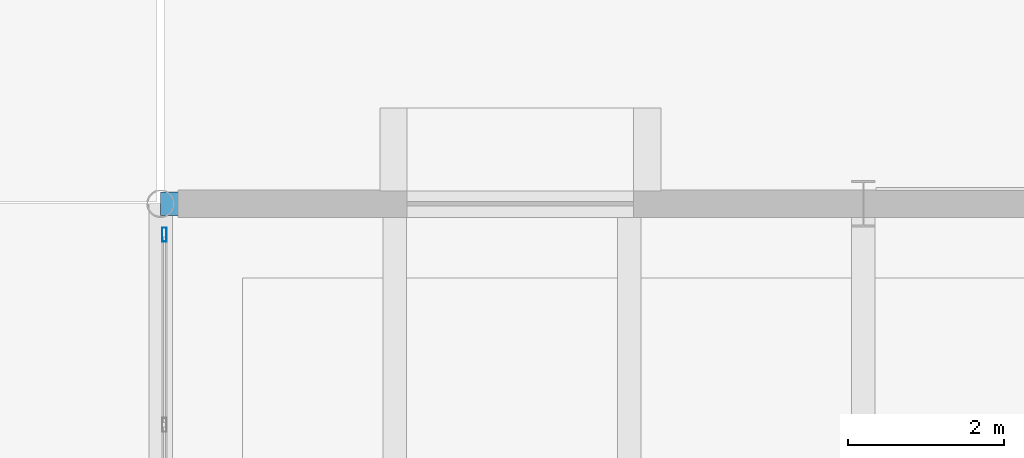
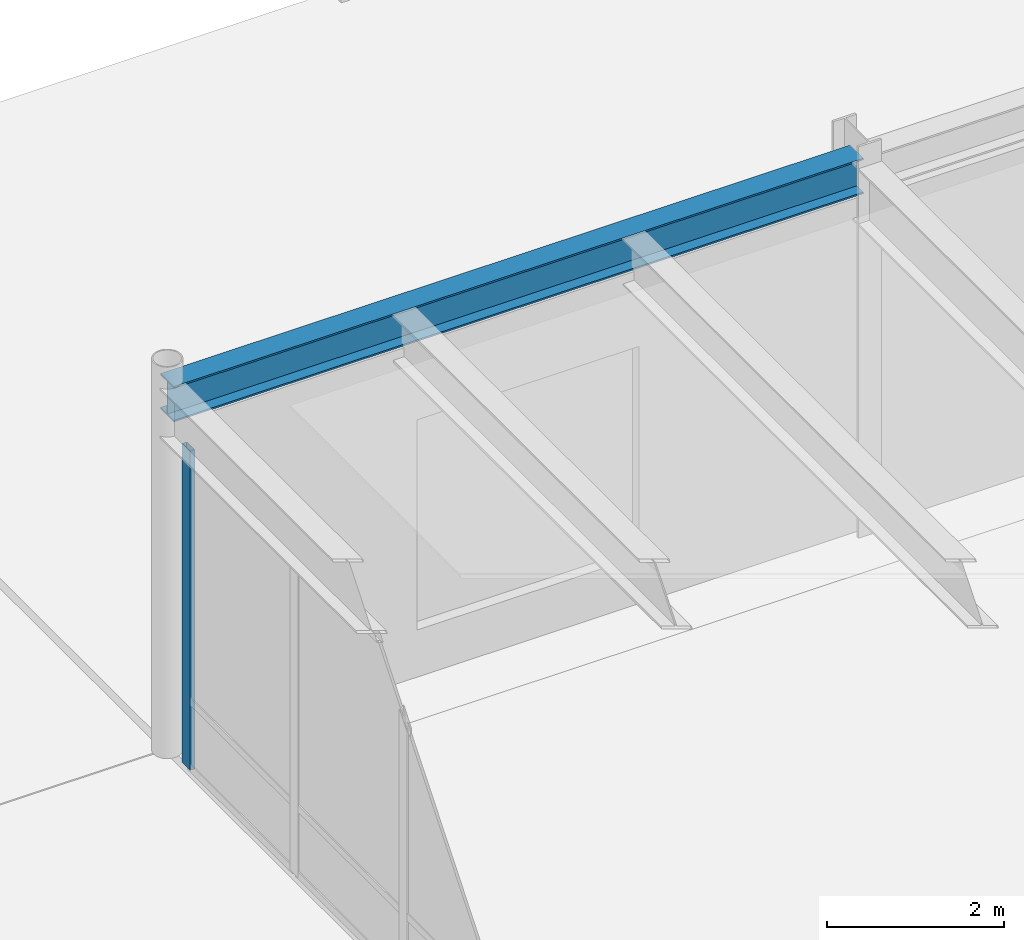
# One storey, part 90 of 143: 1 beam, 1 member, 1 element without a shape of its own.
"""IFC4 building model written with IfcOpenShell, lengths in metres."""

from ifc_helpers import new_model, si_unit, direction, frame, origin, origin_2d, place, context, subcontext, project, spatial, hollow_rectangle, i_section, extrude, material, layer, layer_set, material_profile, profile_set, type_object, element, aggregate, save


model = new_model("IFC4")

# Units and contexts
model_context = context("Model", 3, precision=1e-05, world=origin(), true_north=direction((0.0, 1.0)))
body_context = subcontext(model_context, "Body", "Model", "MODEL_VIEW")
ifc_project = project(units=[si_unit("LENGTHUNIT", "METRE"), si_unit("AREAUNIT", "SQUARE_METRE"), si_unit("VOLUMEUNIT", "CUBIC_METRE"), si_unit("PLANEANGLEUNIT", "RADIAN"), si_unit("MASSUNIT", "GRAM", prefix="KILO")], contexts=[model_context])

# Site, building, storey
site_placement = place(None, origin())
site = spatial("IfcSite", under=ifc_project, at=site_placement, CompositionType="ELEMENT")
building_placement = place(site_placement, origin())
building = spatial("IfcBuilding", under=site, at=building_placement, Name="Montelvaro Courts of Justice", CompositionType="ELEMENT")
storey_placement = place(building_placement, origin())
storey = spatial("IfcBuildingStorey", under=building, at=storey_placement, Name="L00", CompositionType="ELEMENT", Elevation=0.0)

# Beam
ifc_material_1 = material(Name="Steel S355", Category="steel")
ifc_material_profile_1 = material_profile(ifc_material_1, i_section(OverallWidth=0.300048828125, OverallDepth=0.489990234375, WebThickness=0.011962890625, FlangeThickness=0.02294921875, at=origin_2d()), Name="HEA 500")
ifc_profile_set_1 = profile_set([ifc_material_profile_1], Name="Steel S355")
beam_type = type_object("IfcBeamType", Name="Beam_HEA500", PredefinedType="USERDEFINED", material=ifc_profile_set_1)
beam_placement = place(storey_placement, frame((99.0, 96.0, 4.85498046875), z_axis=(1.0, 0.0, 0.0), x_axis=(0.0, 1.0, 0.0)))
element("IfcBeam", 1, at=beam_placement, inside=storey, type_object=beam_type, Name="Beam B-19 L00", ObjectType="GIRDER", PredefinedType="USERDEFINED", context=body_context, shape_type="SweptSolid", body=[
    extrude(i_section(OverallWidth=0.300048828125, OverallDepth=0.489990234375, WebThickness=0.011962890625, FlangeThickness=0.02294921875, at=origin_2d()), origin(), (0.0, 0.0, 1.0), 9.0),
])

# Curtain wall, member
ifc_material_2 = material(Name="Anodised aluminium EN AW-6063", Category="aluminium")
ifc_layer = layer(ifc_material_2, 0.159912109375)
ifc_layer_set = layer_set([ifc_layer], Name="Anodised aluminium EN AW-6063")
curtain_wall_type = type_object("IfcCurtainWallType", Name="CurtainWall_02_1727x508", PredefinedType="USERDEFINED", material=ifc_layer_set)
curtain_wall_placement = place(storey_placement, origin())
curtain_wall = element("IfcCurtainWall", 2, at=curtain_wall_placement, inside=storey, type_object=curtain_wall_type, Name="Curtain Wall CW-02 (L00)", ObjectType="CURTAIN WALL", PredefinedType="USERDEFINED")
ifc_material_profile_2 = material_profile(ifc_material_2, hollow_rectangle(XDim=0.06005859375, YDim=0.179931640625, WallThickness=0.00439453125, at=origin_2d()), Name="ALU-M 60x180")
ifc_profile_set_2 = profile_set([ifc_material_profile_2], Name="Anodised aluminium EN AW-6063")
member_type = type_object("IfcMemberType", Name="CurtainWall_Mullion_60x180", PredefinedType="MULLION", material=ifc_profile_set_2)
member_placement = place(storey_placement, frame((99.050048828125, 95.60498046875, 0.0), z_axis=(0.0, 0.0, 1.0), x_axis=(1.0, 0.0, 0.0)))
member = element("IfcMember", 3, at=member_placement, type_object=member_type, Name="CW-02 mullion 1", PredefinedType="MULLION", context=body_context, shape_type="SweptSolid", body=[
    extrude(hollow_rectangle(XDim=0.06005859375, YDim=0.179931640625, WallThickness=0.00439453125, at=origin_2d()), origin(), (0.0, 0.0, 1.0), 4.405029296875),
])
aggregate(curtain_wall, [member])

save(model, "model.ifc")
